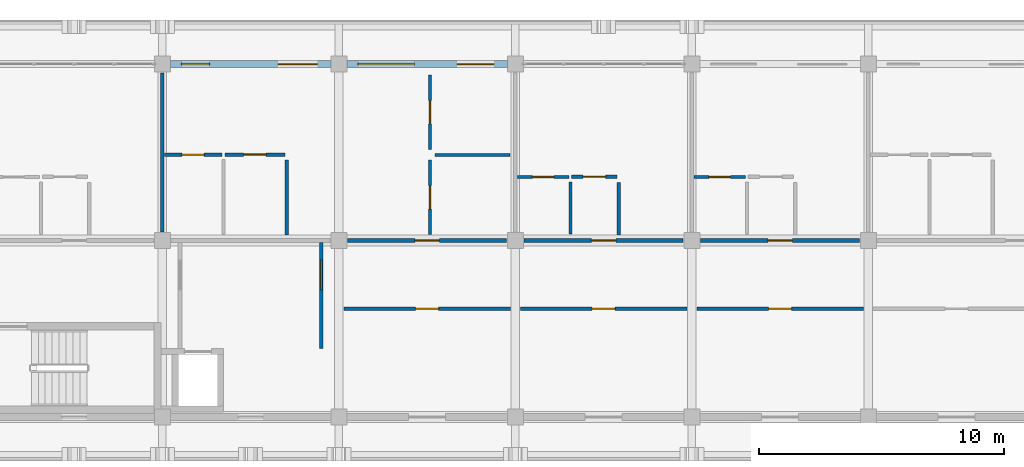
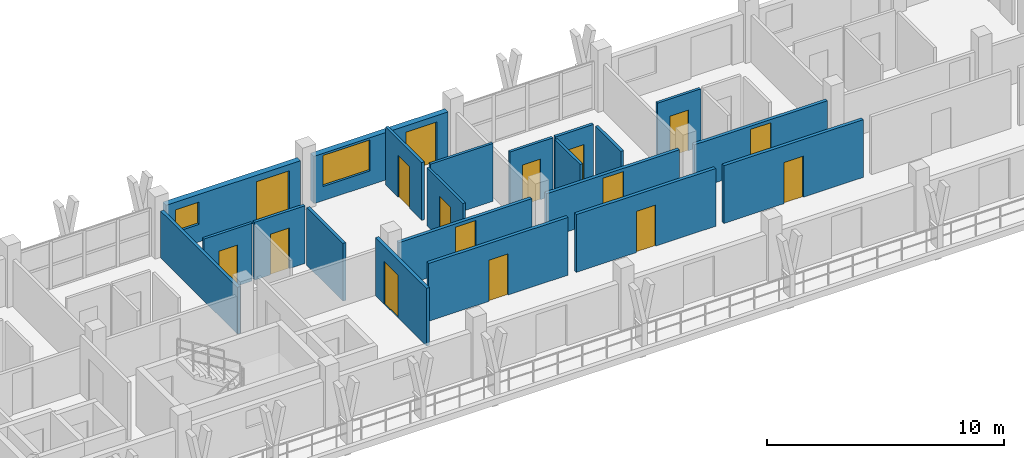
# One storey, part 48 of 76: 21 walls, 16 doors, 2 windows, 18 openings.
"""IFC4 building model written with IfcOpenShell, lengths in metres."""

from ifc_helpers import new_model, si_unit, direction, frame, frame_2d, origin, place, context, subcontext, project, spatial, rectangle, extrude, material, layer, layer_set, type_object, element, fill, save


model = new_model("IFC4")

# Units and contexts
model_context = context("Model", 3, precision=1e-05, world=origin(), true_north=direction((0.0, 1.0)))
body_context = subcontext(model_context, "Body", "Model", "MODEL_VIEW")
ifc_project = project(units=[si_unit("LENGTHUNIT", "METRE"), si_unit("AREAUNIT", "SQUARE_METRE"), si_unit("VOLUMEUNIT", "CUBIC_METRE"), si_unit("PLANEANGLEUNIT", "RADIAN"), si_unit("MASSUNIT", "GRAM", prefix="KILO")], contexts=[model_context])

# Site, building, storey
site_placement = place(None, origin())
site = spatial("IfcSite", under=ifc_project, at=site_placement, CompositionType="ELEMENT")
building_placement = place(site_placement, origin())
building = spatial("IfcBuilding", under=site, at=building_placement, Name="Suanplinth Sawtooth Commons", CompositionType="ELEMENT")
storey_placement = place(building_placement, frame((0.0, 0.0, 12.199951171875)))
storey = spatial("IfcBuildingStorey", under=building, at=storey_placement, Name="L03", CompositionType="ELEMENT", Elevation=12.199951171875)

# Wall, openings, door, window
ifc_material_1 = material(Name="Precast concrete C40/50", Category="concrete")
ifc_layer_1 = layer(ifc_material_1, 0.280029296875, Name="Insulated precast architectural facade wall 280mm")
ifc_layer_set_1 = layer_set([ifc_layer_1], Name="Precast concrete C40/50")
wall_type_1 = type_object("IfcWallType", Name="W-EX01", PredefinedType="ELEMENTEDWALL", material=ifc_layer_set_1)
wall_1_placement = place(storey_placement, frame((65.125, 122.39990234375, 0.0), z_axis=(0.0, 0.0, 1.0), x_axis=(1.0, 0.0, 0.0)))
wall_1 = element("IfcWall", 1, at=wall_1_placement, inside=storey, type_object=wall_type_1, Name="Facade Wall W-L03-A-N-9", PredefinedType="ELEMENTEDWALL", context=body_context, shape_type="SweptSolid", body=[
    extrude(rectangle(XDim=6.550048828125, YDim=0.280029296875, at=frame_2d((3.27490234375, 0.0))), origin(), (0.0, 0.0, 1.0), 2.445068359375),
])
opening_1_placement = place(wall_1_placement, frame((4.39990234375, 0.0, 0.0)))
opening_1 = element("IfcOpeningElement", 2, at=opening_1_placement, cuts=wall_1, Name="Opening ED0231", PredefinedType="OPENING", context=body_context, shape_type="SweptSolid", body=[
    extrude(rectangle(XDim=1.60009765625, YDim=2.1201171875, at=frame_2d((0.800048828125, 1.06005859375))), frame((0.0, 0.15478515625, 0.0), z_axis=(0.0, -1.0, 0.0), x_axis=(1.0, 0.0, 0.0)), (0.0, 0.0, 1.0), 0.309814453125),
])
opening_2_placement = place(wall_1_placement, frame((0.449951171875, 0.0, 0.89990234375)))
opening_2 = element("IfcOpeningElement", 3, at=opening_2_placement, cuts=wall_1, Name="Opening W0341", PredefinedType="OPENING", context=body_context, shape_type="SweptSolid", body=[
    extrude(rectangle(XDim=1.14990234375, YDim=1.14990234375, at=frame_2d((0.574951171875, 0.574951171875))), frame((0.0, 0.15478515625, 0.0), z_axis=(0.0, -1.0, 0.0), x_axis=(1.0, 0.0, 0.0)), (0.0, 0.0, 1.0), 0.309814453125),
])
ifc_material_2 = material(Name="Anodized aluminium and low-E glass", Category="aluminium")
door_type_1 = type_object("IfcDoorType", Name="SD-02", OperationType="SLIDING_TO_RIGHT", PredefinedType="DOOR", material=ifc_material_2)
door_1_placement = place(opening_1_placement, frame((1.60009765625, 0.0, 0.0), z_axis=(0.0, 0.0, 1.0), x_axis=(-1.0, 0.0, 0.0)))
door_1 = element("IfcDoor", 4, at=door_1_placement, inside=storey, type_object=door_type_1, Name="Balcony Sliding Door L03-A-N-9", OperationType="SLIDING_TO_RIGHT", OverallHeight=2.1201171875, OverallWidth=1.60009765625, PredefinedType="DOOR", context=body_context, shape_type="SweptSolid", body=[
    extrude(rectangle(XDim=1.60009765625, YDim=2.1201171875, at=frame_2d((0.800048828125, 1.06005859375))), frame((0.0, 0.02490234375, 0.0), z_axis=(0.0, -1.0, 0.0), x_axis=(1.0, 0.0, 0.0)), (0.0, 0.0, 1.0), 0.050048828125),
])
fill(opening_1, door_1)
ifc_material_3 = material(Name="Thermally broken aluminium and low-E double glazing", Category="aluminium")
window_type_1 = type_object("IfcWindowType", Name="WN-20", PartitioningType="SINGLE_PANEL", PredefinedType="WINDOW", material=ifc_material_3)
window_1_placement = place(opening_2_placement, origin())
window_1 = element("IfcWindow", 5, at=window_1_placement, inside=storey, type_object=window_type_1, Name="Window L03-A-N-9", OverallHeight=1.14990234375, OverallWidth=1.14990234375, PartitioningType="SINGLE_PANEL", PredefinedType="WINDOW", context=body_context, shape_type="SweptSolid", body=[
    extrude(rectangle(XDim=1.14990234375, YDim=1.14990234375, at=frame_2d((0.574951171875, 0.574951171875))), frame((0.0, 0.030029296875, 0.0), z_axis=(0.0, -1.0, 0.0), x_axis=(1.0, 0.0, 0.0)), (0.0, 0.0, 1.0), 0.06005859375),
])
fill(opening_2, window_1)

wall_2_placement = place(storey_placement, frame((72.324951171875, 122.39990234375, 0.0), z_axis=(0.0, 0.0, 1.0), x_axis=(1.0, 0.0, 0.0)))
wall_2 = element("IfcWall", 6, at=wall_2_placement, inside=storey, type_object=wall_type_1, Name="Facade Wall W-L03-A-N-10", PredefinedType="ELEMENTEDWALL", context=body_context, shape_type="SweptSolid", body=[
    extrude(rectangle(XDim=6.550048828125, YDim=0.280029296875, at=frame_2d((3.27490234375, 0.0))), origin(), (0.0, 0.0, 1.0), 2.445068359375),
])
opening_3_placement = place(wall_2_placement, frame((4.5, 0.0, 0.0)))
opening_3 = element("IfcOpeningElement", 7, at=opening_3_placement, cuts=wall_2, Name="Opening ED0232", PredefinedType="OPENING", context=body_context, shape_type="SweptSolid", body=[
    extrude(rectangle(XDim=1.5, YDim=2.1201171875, at=frame_2d((0.75, 1.06005859375))), frame((0.0, 0.15478515625, 0.0), z_axis=(0.0, -1.0, 0.0), x_axis=(1.0, 0.0, 0.0)), (0.0, 0.0, 1.0), 0.309814453125),
])
opening_4_placement = place(wall_2_placement, frame((0.449951171875, 0.0, 0.735107421875)))
opening_4 = element("IfcOpeningElement", 8, at=opening_4_placement, cuts=wall_2, Name="Opening W0343", PredefinedType="OPENING", context=body_context, shape_type="SweptSolid", body=[
    extrude(rectangle(XDim=2.300048828125, YDim=1.60009765625, at=frame_2d((1.14990234375, 0.800048828125))), frame((0.0, 0.15478515625, 0.0), z_axis=(0.0, -1.0, 0.0), x_axis=(1.0, 0.0, 0.0)), (0.0, 0.0, 1.0), 0.309814453125),
])
door_type_2 = type_object("IfcDoorType", Name="SD-03", OperationType="SLIDING_TO_LEFT", PredefinedType="DOOR", material=ifc_material_2)
door_2_placement = place(opening_3_placement, frame((1.5, 0.0, 0.0), z_axis=(0.0, 0.0, 1.0), x_axis=(-1.0, 0.0, 0.0)))
door_2 = element("IfcDoor", 9, at=door_2_placement, inside=storey, type_object=door_type_2, Name="Balcony Sliding Door L03-A-N-10", OperationType="SLIDING_TO_LEFT", OverallHeight=2.1201171875, OverallWidth=1.5, PredefinedType="DOOR", context=body_context, shape_type="SweptSolid", body=[
    extrude(rectangle(XDim=1.5, YDim=2.1201171875, at=frame_2d((0.75, 1.06005859375))), frame((0.0, 0.02490234375, 0.0), z_axis=(0.0, -1.0, 0.0), x_axis=(1.0, 0.0, 0.0)), (0.0, 0.0, 1.0), 0.050048828125),
])
fill(opening_3, door_2)
window_type_2 = type_object("IfcWindowType", Name="WN-21", PartitioningType="TRIPLE_PANEL_VERTICAL", PredefinedType="WINDOW", material=ifc_material_3)
window_2_placement = place(opening_4_placement, origin())
window_2 = element("IfcWindow", 10, at=window_2_placement, inside=storey, type_object=window_type_2, Name="Window L03-A-N-10", OverallHeight=1.60009765625, OverallWidth=2.300048828125, PartitioningType="TRIPLE_PANEL_VERTICAL", PredefinedType="WINDOW", context=body_context, shape_type="SweptSolid", body=[
    extrude(rectangle(XDim=2.300048828125, YDim=1.60009765625, at=frame_2d((1.14990234375, 0.800048828125))), frame((0.0, 0.030029296875, 0.0), z_axis=(0.0, -1.0, 0.0), x_axis=(1.0, 0.0, 0.0)), (0.0, 0.0, 1.0), 0.06005859375),
])
fill(opening_4, window_2)

# Wall, opening, door
ifc_layer_2 = layer(ifc_material_1, 0.159912109375, Name="Fire-rated corridor and lobby wall 160mm")
ifc_layer_set_2 = layer_set([ifc_layer_2], Name="Precast concrete C40/50")
wall_type_2 = type_object("IfcWallType", Name="W-FW01", PredefinedType="PARTITIONING", material=ifc_layer_set_2)
wall_3_placement = place(storey_placement, frame((71.280029296875, 110.800048828125, 0.0), z_axis=(0.0, 0.0, 1.0), x_axis=(0.0, 1.0, 0.0)))
wall_3 = element("IfcWall", 11, at=wall_3_placement, inside=storey, type_object=wall_type_2, Name="W-L03-C-A2-LOB-E", PredefinedType="PARTITIONING", context=body_context, shape_type="SweptSolid", body=[
    extrude(rectangle(XDim=4.320068359375, YDim=0.159912109375, at=frame_2d((2.16015625, 0.0))), origin(), (0.0, 0.0, 1.0), 2.97998046875),
])
opening_5_placement = place(wall_3_placement, frame((2.39990234375, 0.0, 0.0)))
opening_5 = element("IfcOpeningElement", 12, at=opening_5_placement, cuts=wall_3, Name="Opening FD0104", PredefinedType="OPENING", context=body_context, shape_type="SweptSolid", body=[
    extrude(rectangle(XDim=1.199951171875, YDim=2.199951171875, at=frame_2d((0.60009765625, 1.10009765625))), frame((0.0, 0.0947265625, 0.0), z_axis=(0.0, -1.0, 0.0), x_axis=(1.0, 0.0, 0.0)), (0.0, 0.0, 1.0), 0.189697265625),
])
ifc_material_4 = material(Name="Teak hardwood fire-rated door assembly", Category="wood")
door_type_3 = type_object("IfcDoorType", Name="FD-02", OperationType="NOTDEFINED", PredefinedType="DOOR", material=ifc_material_4)
door_3_placement = place(opening_5_placement, frame((1.199951171875, 0.0, 0.0), z_axis=(0.0, 0.0, 1.0), x_axis=(-1.0, 0.0, 0.0)))
door_3 = element("IfcDoor", 13, at=door_3_placement, inside=storey, type_object=door_type_3, Name="Lobby Fire Door FD0104", OperationType="SINGLE_SWING_LEFT", OverallHeight=2.199951171875, OverallWidth=1.199951171875, PredefinedType="DOOR", context=body_context, shape_type="SweptSolid", body=[
    extrude(rectangle(XDim=1.199951171875, YDim=2.199951171875, at=frame_2d((0.60009765625, 1.10009765625))), frame((0.0, 0.02490234375, 0.0), z_axis=(0.0, -1.0, 0.0), x_axis=(1.0, 0.0, 0.0)), (0.0, 0.0, 1.0), 0.050048828125),
])
fill(opening_5, door_3)

wall_4_placement = place(storey_placement, frame((72.35498046875, 115.199951171875, 0.0), z_axis=(0.0, 0.0, 1.0), x_axis=(1.0, 0.0, 0.0)))
wall_4 = element("IfcWall", 14, at=wall_4_placement, inside=storey, type_object=wall_type_2, Name="W-A-L03-U08-COR-S2", PredefinedType="PARTITIONING", context=body_context, shape_type="SweptSolid", body=[
    extrude(rectangle(XDim=6.489990234375, YDim=0.159912109375, at=frame_2d((3.2451171875, 0.0))), origin(), (0.0, 0.0, 1.0), 2.31494140625),
])
opening_6_placement = place(wall_4_placement, frame((2.7451171875, 0.0, 0.0)))
opening_6 = element("IfcOpeningElement", 15, at=opening_6_placement, cuts=wall_4, Name="Opening FD0891", PredefinedType="OPENING", context=body_context, shape_type="SweptSolid", body=[
    extrude(rectangle(XDim=1.0, YDim=2.14990234375, at=frame_2d((0.5, 1.074951171875))), frame((0.0, 0.0947265625, 0.0), z_axis=(0.0, -1.0, 0.0), x_axis=(1.0, 0.0, 0.0)), (0.0, 0.0, 1.0), 0.189697265625),
])
door_type_4 = type_object("IfcDoorType", Name="FD-03", OperationType="NOTDEFINED", PredefinedType="DOOR", material=ifc_material_4)
door_4_placement = place(opening_6_placement, origin())
door_4 = element("IfcDoor", 16, at=door_4_placement, inside=storey, type_object=door_type_4, Name="Unit Entrance Door FD0891", OperationType="SINGLE_SWING_LEFT", OverallHeight=2.14990234375, OverallWidth=1.0, PredefinedType="DOOR", context=body_context, shape_type="SweptSolid", body=[
    extrude(rectangle(XDim=1.0, YDim=2.14990234375, at=frame_2d((0.5, 1.074951171875))), frame((0.0, 0.02490234375, 0.0), z_axis=(0.0, -1.0, 0.0), x_axis=(1.0, 0.0, 0.0)), (0.0, 0.0, 1.0), 0.050048828125),
])
fill(opening_6, door_4)

wall_5_placement = place(storey_placement, frame((79.554931640625, 115.199951171875, 0.0), z_axis=(0.0, 0.0, 1.0), x_axis=(1.0, 0.0, 0.0)))
wall_5 = element("IfcWall", 17, at=wall_5_placement, inside=storey, type_object=wall_type_2, Name="W-A-L03-U09-COR", PredefinedType="PARTITIONING", context=body_context, shape_type="SweptSolid", body=[
    extrude(rectangle(XDim=6.489990234375, YDim=0.159912109375, at=frame_2d((3.2451171875, 0.0))), origin(), (0.0, 0.0, 1.0), 2.31494140625),
])
opening_7_placement = place(wall_5_placement, frame((2.7451171875, 0.0, 0.0)))
opening_7 = element("IfcOpeningElement", 18, at=opening_7_placement, cuts=wall_5, Name="Opening FD0896", PredefinedType="OPENING", context=body_context, shape_type="SweptSolid", body=[
    extrude(rectangle(XDim=1.0, YDim=2.14990234375, at=frame_2d((0.5, 1.074951171875))), frame((0.0, 0.0947265625, 0.0), z_axis=(0.0, -1.0, 0.0), x_axis=(1.0, 0.0, 0.0)), (0.0, 0.0, 1.0), 0.189697265625),
])
door_5_placement = place(opening_7_placement, origin())
door_5 = element("IfcDoor", 19, at=door_5_placement, inside=storey, type_object=door_type_4, Name="Unit Entrance Door FD0896", OperationType="SINGLE_SWING_RIGHT", OverallHeight=2.14990234375, OverallWidth=1.0, PredefinedType="DOOR", context=body_context, shape_type="SweptSolid", body=[
    extrude(rectangle(XDim=1.0, YDim=2.14990234375, at=frame_2d((0.5, 1.074951171875))), frame((0.0, 0.02490234375, 0.0), z_axis=(0.0, -1.0, 0.0), x_axis=(1.0, 0.0, 0.0)), (0.0, 0.0, 1.0), 0.050048828125),
])
fill(opening_7, door_5)

wall_6_placement = place(storey_placement, frame((86.7548828125, 115.199951171875, 0.0), z_axis=(0.0, 0.0, 1.0), x_axis=(1.0, 0.0, 0.0)))
wall_6 = element("IfcWall", 20, at=wall_6_placement, inside=storey, type_object=wall_type_2, Name="W-A-L03-U10-COR", PredefinedType="PARTITIONING", context=body_context, shape_type="SweptSolid", body=[
    extrude(rectangle(XDim=6.490234375, YDim=0.159912109375, at=frame_2d((3.2451171875, 0.0))), origin(), (0.0, 0.0, 1.0), 2.31494140625),
])
opening_8_placement = place(wall_6_placement, frame((2.7451171875, 0.0, 0.0)))
opening_8 = element("IfcOpeningElement", 21, at=opening_8_placement, cuts=wall_6, Name="Opening FD0899", PredefinedType="OPENING", context=body_context, shape_type="SweptSolid", body=[
    extrude(rectangle(XDim=1.0, YDim=2.14990234375, at=frame_2d((0.5, 1.074951171875))), frame((0.0, 0.0947265625, 0.0), z_axis=(0.0, -1.0, 0.0), x_axis=(1.0, 0.0, 0.0)), (0.0, 0.0, 1.0), 0.189697265625),
])
door_6_placement = place(opening_8_placement, origin())
door_6 = element("IfcDoor", 22, at=door_6_placement, inside=storey, type_object=door_type_4, Name="Unit Entrance Door FD0899", OperationType="SINGLE_SWING_LEFT", OverallHeight=2.14990234375, OverallWidth=1.0, PredefinedType="DOOR", context=body_context, shape_type="SweptSolid", body=[
    extrude(rectangle(XDim=1.0, YDim=2.14990234375, at=frame_2d((0.5, 1.074951171875))), frame((0.0, 0.02490234375, 0.0), z_axis=(0.0, -1.0, 0.0), x_axis=(1.0, 0.0, 0.0)), (0.0, 0.0, 1.0), 0.050048828125),
])
fill(opening_8, door_6)

wall_7_placement = place(storey_placement, frame((72.199951171875, 112.419921875, 0.0), z_axis=(0.0, 0.0, 1.0), x_axis=(1.0, 0.0, 0.0)))
wall_7 = element("IfcWall", 23, at=wall_7_placement, inside=storey, type_object=wall_type_2, Name="W-A-L03-COURTROOM-18-COR", PredefinedType="PARTITIONING", context=body_context, shape_type="SweptSolid", body=[
    extrude(rectangle(XDim=6.800048828125, YDim=0.159912109375, at=frame_2d((3.39990234375, 0.0))), origin(), (0.0, 0.0, 1.0), 2.97998046875),
])
opening_9_placement = place(wall_7_placement, frame((2.929931640625, 0.0, 0.0)))
opening_9 = element("IfcOpeningElement", 24, at=opening_9_placement, cuts=wall_7, Name="Opening D0916", PredefinedType="OPENING", context=body_context, shape_type="SweptSolid", body=[
    extrude(rectangle(XDim=0.93994140625, YDim=2.1201171875, at=frame_2d((0.469970703125, 1.06005859375))), frame((0.0, 0.0947265625, 0.0), z_axis=(0.0, -1.0, 0.0), x_axis=(1.0, 0.0, 0.0)), (0.0, 0.0, 1.0), 0.189697265625),
])
ifc_material_5 = material(Name="Teak hardwood", Category="wood")
door_type_5 = type_object("IfcDoorType", Name="D-15", OperationType="NOTDEFINED", PredefinedType="DOOR", material=ifc_material_5)
door_7_placement = place(opening_9_placement, frame((0.93994140625, 0.0, 0.0), z_axis=(0.0, 0.0, 1.0), x_axis=(-1.0, 0.0, 0.0)))
door_7 = element("IfcDoor", 25, at=door_7_placement, inside=storey, type_object=door_type_5, Name="Study Studio Door D0916", OperationType="SINGLE_SWING_RIGHT", OverallHeight=2.1201171875, OverallWidth=0.93994140625, PredefinedType="DOOR", context=body_context, shape_type="SweptSolid", body=[
    extrude(rectangle(XDim=0.93994140625, YDim=2.1201171875, at=frame_2d((0.469970703125, 1.06005859375))), frame((0.0, 0.02490234375, 0.0), z_axis=(0.0, -1.0, 0.0), x_axis=(1.0, 0.0, 0.0)), (0.0, 0.0, 1.0), 0.050048828125),
])
fill(opening_9, door_7)

wall_8_placement = place(storey_placement, frame((79.39990234375, 112.419921875, 0.0), z_axis=(0.0, 0.0, 1.0), x_axis=(1.0, 0.0, 0.0)))
wall_8 = element("IfcWall", 26, at=wall_8_placement, inside=storey, type_object=wall_type_2, Name="W-A-L03-COURTROOM-19-COR", PredefinedType="PARTITIONING", context=body_context, shape_type="SweptSolid", body=[
    extrude(rectangle(XDim=6.800048828125, YDim=0.159912109375, at=frame_2d((3.39990234375, 0.0))), origin(), (0.0, 0.0, 1.0), 2.97998046875),
])
opening_10_placement = place(wall_8_placement, frame((2.929931640625, 0.0, 0.0)))
opening_10 = element("IfcOpeningElement", 27, at=opening_10_placement, cuts=wall_8, Name="Opening D0917", PredefinedType="OPENING", context=body_context, shape_type="SweptSolid", body=[
    extrude(rectangle(XDim=0.93994140625, YDim=2.1201171875, at=frame_2d((0.469970703125, 1.06005859375))), frame((0.0, 0.0947265625, 0.0), z_axis=(0.0, -1.0, 0.0), x_axis=(1.0, 0.0, 0.0)), (0.0, 0.0, 1.0), 0.189697265625),
])
door_8_placement = place(opening_10_placement, frame((0.93994140625, 0.0, 0.0), z_axis=(0.0, 0.0, 1.0), x_axis=(-1.0, 0.0, 0.0)))
door_8 = element("IfcDoor", 28, at=door_8_placement, inside=storey, type_object=door_type_5, Name="Study Studio Door D0917", OperationType="SINGLE_SWING_LEFT", OverallHeight=2.1201171875, OverallWidth=0.93994140625, PredefinedType="DOOR", context=body_context, shape_type="SweptSolid", body=[
    extrude(rectangle(XDim=0.93994140625, YDim=2.1201171875, at=frame_2d((0.469970703125, 1.06005859375))), frame((0.0, 0.02490234375, 0.0), z_axis=(0.0, -1.0, 0.0), x_axis=(1.0, 0.0, 0.0)), (0.0, 0.0, 1.0), 0.050048828125),
])
fill(opening_10, door_8)

wall_9_placement = place(storey_placement, frame((86.60009765625, 112.419921875, 0.0), z_axis=(0.0, 0.0, 1.0), x_axis=(1.0, 0.0, 0.0)))
wall_9 = element("IfcWall", 29, at=wall_9_placement, inside=storey, type_object=wall_type_2, Name="W-A-L03-COURTROOM-20-COR", PredefinedType="PARTITIONING", context=body_context, shape_type="SweptSolid", body=[
    extrude(rectangle(XDim=6.7998046875, YDim=0.159912109375, at=frame_2d((3.39990234375, 0.0))), origin(), (0.0, 0.0, 1.0), 2.97998046875),
])
opening_11_placement = place(wall_9_placement, frame((2.929931640625, 0.0, 0.0)))
opening_11 = element("IfcOpeningElement", 30, at=opening_11_placement, cuts=wall_9, Name="Opening D0918", PredefinedType="OPENING", context=body_context, shape_type="SweptSolid", body=[
    extrude(rectangle(XDim=0.93994140625, YDim=2.1201171875, at=frame_2d((0.469970703125, 1.06005859375))), frame((0.0, 0.0947265625, 0.0), z_axis=(0.0, -1.0, 0.0), x_axis=(1.0, 0.0, 0.0)), (0.0, 0.0, 1.0), 0.189697265625),
])
door_9_placement = place(opening_11_placement, frame((0.93994140625, 0.0, 0.0), z_axis=(0.0, 0.0, 1.0), x_axis=(-1.0, 0.0, 0.0)))
door_9 = element("IfcDoor", 31, at=door_9_placement, inside=storey, type_object=door_type_5, Name="Study Studio Door D0918", OperationType="SINGLE_SWING_RIGHT", OverallHeight=2.1201171875, OverallWidth=0.93994140625, PredefinedType="DOOR", context=body_context, shape_type="SweptSolid", body=[
    extrude(rectangle(XDim=0.93994140625, YDim=2.1201171875, at=frame_2d((0.469970703125, 1.06005859375))), frame((0.0, 0.02490234375, 0.0), z_axis=(0.0, -1.0, 0.0), x_axis=(1.0, 0.0, 0.0)), (0.0, 0.0, 1.0), 0.050048828125),
])
fill(opening_11, door_9)

# Wall
ifc_layer_3 = layer(ifc_material_1, 0.14990234375, Name="Acoustic precast party demising wall 150mm")
ifc_layer_set_3 = layer_set([ifc_layer_3], Name="Precast concrete C40/50")
wall_type_3 = type_object("IfcWallType", Name="W-FW02", PredefinedType="PARTITIONING", material=ifc_layer_set_3)
wall_10_placement = place(storey_placement, frame((64.800048828125, 115.554931640625, 0.0), z_axis=(0.0, 0.0, 1.0), x_axis=(0.0, 1.0, 0.0)))
element("IfcWall", 32, at=wall_10_placement, inside=storey, type_object=wall_type_3, Name="W-A-L03-U07-PTY", PredefinedType="PARTITIONING", context=body_context, shape_type="SweptSolid", body=[
    extrude(rectangle(XDim=6.489990234375, YDim=0.14990234375, at=frame_2d((3.2451171875, 0.0))), origin(), (0.0, 0.0, 1.0), 2.4150390625),
])

# Wall, opening, door
ifc_material_6 = material(Name="Gypsum plasterboard on steel stud", Category="steel")
ifc_layer_4 = layer(ifc_material_6, 0.139892578125, Name="Fire-rated kitchen partition 140mm")
ifc_layer_set_4 = layer_set([ifc_layer_4], Name="Gypsum plasterboard on steel stud")
wall_type_4 = type_object("IfcWallType", Name="W-PT01", PredefinedType="PARTITIONING", material=ifc_layer_set_4)
wall_11_placement = place(storey_placement, frame((67.35009765625, 118.7099609375, 0.0), z_axis=(0.0, 0.0, 1.0), x_axis=(1.0, 0.0, 0.0)))
wall_11 = element("IfcWall", 33, at=wall_11_placement, inside=storey, type_object=wall_type_4, Name="W-A-L03-U08-KIT1", PredefinedType="PARTITIONING", context=body_context, shape_type="SweptSolid", body=[
    extrude(rectangle(XDim=2.449951171875, YDim=0.139892578125, at=frame_2d((1.22509765625, 0.0))), origin(), (0.0, 0.0, 1.0), 2.97998046875),
])
opening_12_placement = place(wall_11_placement, frame((0.764892578125, 0.0, 0.0)))
opening_12 = element("IfcOpeningElement", 34, at=opening_12_placement, cuts=wall_11, Name="Opening D0893", PredefinedType="OPENING", context=body_context, shape_type="SweptSolid", body=[
    extrude(rectangle(XDim=0.919921875, YDim=2.10009765625, at=frame_2d((0.4599609375, 1.050048828125))), frame((0.0, 0.0849609375, 0.0), z_axis=(0.0, -1.0, 0.0), x_axis=(1.0, 0.0, 0.0)), (0.0, 0.0, 1.0), 0.169677734375),
])
door_type_6 = type_object("IfcDoorType", Name="D-02", OperationType="NOTDEFINED", PredefinedType="DOOR", material=ifc_material_5)
door_10_placement = place(opening_12_placement, frame((0.919921875, 0.0, 0.0), z_axis=(0.0, 0.0, 1.0), x_axis=(-1.0, 0.0, 0.0)))
door_10 = element("IfcDoor", 35, at=door_10_placement, inside=storey, type_object=door_type_6, Name="Kitchen Door D0893", OperationType="SINGLE_SWING_LEFT", OverallHeight=2.10009765625, OverallWidth=0.919921875, PredefinedType="DOOR", context=body_context, shape_type="SweptSolid", body=[
    extrude(rectangle(XDim=0.919921875, YDim=2.10009765625, at=frame_2d((0.4599609375, 1.050048828125))), frame((0.0, 0.02490234375, 0.0), z_axis=(0.0, -1.0, 0.0), x_axis=(1.0, 0.0, 0.0)), (0.0, 0.0, 1.0), 0.050048828125),
])
fill(opening_12, door_10)

# Wall
wall_12_placement = place(storey_placement, frame((69.8701171875, 115.429931640625, 0.0), z_axis=(0.0, 0.0, 1.0), x_axis=(0.0, 1.0, 0.0)))
element("IfcWall", 36, at=wall_12_placement, inside=storey, type_object=wall_type_4, Name="W-A-L03-U08-KIT2", PredefinedType="PARTITIONING", context=body_context, shape_type="SweptSolid", body=[
    extrude(rectangle(XDim=3.06005859375, YDim=0.139892578125, at=frame_2d((1.530029296875, 0.0))), origin(), (0.0, 0.0, 1.0), 2.97998046875),
])

# Wall, opening, door
wall_13_placement = place(storey_placement, frame((81.5, 117.800048828125, 0.0), z_axis=(0.0, 0.0, 1.0), x_axis=(1.0, 0.0, 0.0)))
wall_13 = element("IfcWall", 37, at=wall_13_placement, inside=storey, type_object=wall_type_4, Name="W-A-L03-U09-KIT1", PredefinedType="PARTITIONING", context=body_context, shape_type="SweptSolid", body=[
    extrude(rectangle(XDim=1.85009765625, YDim=0.139892578125, at=frame_2d((0.925048828125, 0.0))), origin(), (0.0, 0.0, 1.0), 2.97998046875),
])
opening_13_placement = place(wall_13_placement, frame((0.465087890625, 0.0, 0.0)))
opening_13 = element("IfcOpeningElement", 38, at=opening_13_placement, cuts=wall_13, Name="Opening D0898", PredefinedType="OPENING", context=body_context, shape_type="SweptSolid", body=[
    extrude(rectangle(XDim=0.919921875, YDim=2.10009765625, at=frame_2d((0.4599609375, 1.050048828125))), frame((0.0, 0.0849609375, 0.0), z_axis=(0.0, -1.0, 0.0), x_axis=(1.0, 0.0, 0.0)), (0.0, 0.0, 1.0), 0.169677734375),
])
door_11_placement = place(opening_13_placement, frame((0.919921875, 0.0, 0.0), z_axis=(0.0, 0.0, 1.0), x_axis=(-1.0, 0.0, 0.0)))
door_11 = element("IfcDoor", 39, at=door_11_placement, inside=storey, type_object=door_type_6, Name="Kitchen Door D0898", OperationType="SINGLE_SWING_RIGHT", OverallHeight=2.10009765625, OverallWidth=0.919921875, PredefinedType="DOOR", context=body_context, shape_type="SweptSolid", body=[
    extrude(rectangle(XDim=0.919921875, YDim=2.10009765625, at=frame_2d((0.4599609375, 1.050048828125))), frame((0.0, 0.02490234375, 0.0), z_axis=(0.0, -1.0, 0.0), x_axis=(1.0, 0.0, 0.0)), (0.0, 0.0, 1.0), 0.050048828125),
])
fill(opening_13, door_11)

# Wall
wall_14_placement = place(storey_placement, frame((83.419921875, 115.429931640625, 0.0), z_axis=(0.0, 0.0, 1.0), x_axis=(0.0, 1.0, 0.0)))
element("IfcWall", 40, at=wall_14_placement, inside=storey, type_object=wall_type_4, Name="W-A-L03-U09-KIT2", PredefinedType="PARTITIONING", context=body_context, shape_type="SweptSolid", body=[
    extrude(rectangle(XDim=2.150146484375, YDim=0.139892578125, at=frame_2d((1.0751953125, 0.0))), origin(), (0.0, 0.0, 1.0), 2.97998046875),
])

# Wall, opening, door
ifc_layer_5 = layer(ifc_material_6, 0.1298828125, Name="Moisture-resistant bathroom partition 130mm")
ifc_layer_set_5 = layer_set([ifc_layer_5], Name="Gypsum plasterboard on steel stud")
wall_type_5 = type_object("IfcWallType", Name="W-PT02", PredefinedType="PARTITIONING", material=ifc_layer_set_5)
wall_15_placement = place(storey_placement, frame((64.8798828125, 118.705078125, 0.0), z_axis=(0.0, 0.0, 1.0), x_axis=(1.0, 0.0, 0.0)))
wall_15 = element("IfcWall", 41, at=wall_15_placement, inside=storey, type_object=wall_type_5, Name="W-A-L03-U08-BTH1", PredefinedType="PARTITIONING", context=body_context, shape_type="SweptSolid", body=[
    extrude(rectangle(XDim=2.35009765625, YDim=0.1298828125, at=frame_2d((1.175048828125, 0.0))), origin(), (0.0, 0.0, 1.0), 2.97998046875),
])
opening_14_placement = place(wall_15_placement, frame((0.72509765625, 0.0, 0.0)))
opening_14 = element("IfcOpeningElement", 42, at=opening_14_placement, cuts=wall_15, Name="Opening D0892", PredefinedType="OPENING", context=body_context, shape_type="SweptSolid", body=[
    extrude(rectangle(XDim=0.89990234375, YDim=2.10009765625, at=frame_2d((0.449951171875, 1.050048828125))), frame((0.0, 0.079833984375, 0.0), z_axis=(0.0, -1.0, 0.0), x_axis=(1.0, 0.0, 0.0)), (0.0, 0.0, 1.0), 0.15966796875),
])
door_type_7 = type_object("IfcDoorType", Name="D-01", OperationType="NOTDEFINED", PredefinedType="DOOR", material=ifc_material_5)
door_12_placement = place(opening_14_placement, frame((0.89990234375, 0.0, 0.0), z_axis=(0.0, 0.0, 1.0), x_axis=(-1.0, 0.0, 0.0)))
door_12 = element("IfcDoor", 43, at=door_12_placement, inside=storey, type_object=door_type_7, Name="Bathroom Door D0892", OperationType="SINGLE_SWING_RIGHT", OverallHeight=2.10009765625, OverallWidth=0.89990234375, PredefinedType="DOOR", context=body_context, shape_type="SweptSolid", body=[
    extrude(rectangle(XDim=0.89990234375, YDim=2.10009765625, at=frame_2d((0.449951171875, 1.050048828125))), frame((0.0, 0.02490234375, 0.0), z_axis=(0.0, -1.0, 0.0), x_axis=(1.0, 0.0, 0.0)), (0.0, 0.0, 1.0), 0.050048828125),
])
fill(opening_14, door_12)

wall_16_placement = place(storey_placement, frame((79.280029296875, 117.794921875, 0.0), z_axis=(0.0, 0.0, 1.0), x_axis=(1.0, 0.0, 0.0)))
wall_16 = element("IfcWall", 44, at=wall_16_placement, inside=storey, type_object=wall_type_5, Name="W-A-L03-U09-BTH1", PredefinedType="PARTITIONING", context=body_context, shape_type="SweptSolid", body=[
    extrude(rectangle(XDim=2.099853515625, YDim=0.1298828125, at=frame_2d((1.0498046875, 0.0))), origin(), (0.0, 0.0, 1.0), 2.97998046875),
])
opening_15_placement = place(wall_16_placement, frame((0.610107421875, 0.0, 0.0)))
opening_15 = element("IfcOpeningElement", 45, at=opening_15_placement, cuts=wall_16, Name="Opening D0897", PredefinedType="OPENING", context=body_context, shape_type="SweptSolid", body=[
    extrude(rectangle(XDim=0.8798828125, YDim=2.10009765625, at=frame_2d((0.43994140625, 1.050048828125))), frame((0.0, 0.079833984375, 0.0), z_axis=(0.0, -1.0, 0.0), x_axis=(1.0, 0.0, 0.0)), (0.0, 0.0, 1.0), 0.15966796875),
])
door_type_8 = type_object("IfcDoorType", Name="D-14", OperationType="NOTDEFINED", PredefinedType="DOOR", material=ifc_material_5)
door_13_placement = place(opening_15_placement, frame((0.8798828125, 0.0, 0.0), z_axis=(0.0, 0.0, 1.0), x_axis=(-1.0, 0.0, 0.0)))
door_13 = element("IfcDoor", 46, at=door_13_placement, inside=storey, type_object=door_type_8, Name="Bathroom Door D0897", OperationType="SINGLE_SWING_LEFT", OverallHeight=2.10009765625, OverallWidth=0.8798828125, PredefinedType="DOOR", context=body_context, shape_type="SweptSolid", body=[
    extrude(rectangle(XDim=0.8798828125, YDim=2.10009765625, at=frame_2d((0.43994140625, 1.050048828125))), frame((0.0, 0.02490234375, 0.0), z_axis=(0.0, -1.0, 0.0), x_axis=(1.0, 0.0, 0.0)), (0.0, 0.0, 1.0), 0.050048828125),
])
fill(opening_15, door_13)

# Wall
wall_17_placement = place(storey_placement, frame((81.445068359375, 115.4599609375, 0.0), z_axis=(0.0, 0.0, 1.0), x_axis=(0.0, 1.0, 0.0)))
element("IfcWall", 47, at=wall_17_placement, inside=storey, type_object=wall_type_5, Name="W-A-L03-U09-BTH2", PredefinedType="PARTITIONING", context=body_context, shape_type="SweptSolid", body=[
    extrude(rectangle(XDim=2.130126953125, YDim=0.1298828125, at=frame_2d((1.06494140625, 0.0))), origin(), (0.0, 0.0, 1.0), 2.97998046875),
])

# Wall, opening, door
wall_18_placement = place(storey_placement, frame((86.47998046875, 117.794921875, 0.0), z_axis=(0.0, 0.0, 1.0), x_axis=(1.0, 0.0, 0.0)))
wall_18 = element("IfcWall", 48, at=wall_18_placement, inside=storey, type_object=wall_type_5, Name="W-A-L03-U10-BTH1", PredefinedType="PARTITIONING", context=body_context, shape_type="SweptSolid", body=[
    extrude(rectangle(XDim=2.10009765625, YDim=0.1298828125, at=frame_2d((1.050048828125, 0.0))), origin(), (0.0, 0.0, 1.0), 2.97998046875),
])
opening_16_placement = place(wall_18_placement, frame((0.610107421875, 0.0, 0.0)))
opening_16 = element("IfcOpeningElement", 49, at=opening_16_placement, cuts=wall_18, Name="Opening D0900", PredefinedType="OPENING", context=body_context, shape_type="SweptSolid", body=[
    extrude(rectangle(XDim=0.8798828125, YDim=2.10009765625, at=frame_2d((0.43994140625, 1.050048828125))), frame((0.0, 0.079833984375, 0.0), z_axis=(0.0, -1.0, 0.0), x_axis=(1.0, 0.0, 0.0)), (0.0, 0.0, 1.0), 0.15966796875),
])
door_14_placement = place(opening_16_placement, frame((0.8798828125, 0.0, 0.0), z_axis=(0.0, 0.0, 1.0), x_axis=(-1.0, 0.0, 0.0)))
door_14 = element("IfcDoor", 50, at=door_14_placement, inside=storey, type_object=door_type_8, Name="Bathroom Door D0900", OperationType="SINGLE_SWING_RIGHT", OverallHeight=2.10009765625, OverallWidth=0.8798828125, PredefinedType="DOOR", context=body_context, shape_type="SweptSolid", body=[
    extrude(rectangle(XDim=0.8798828125, YDim=2.10009765625, at=frame_2d((0.43994140625, 1.050048828125))), frame((0.0, 0.02490234375, 0.0), z_axis=(0.0, -1.0, 0.0), x_axis=(1.0, 0.0, 0.0)), (0.0, 0.0, 1.0), 0.050048828125),
])
fill(opening_16, door_14)

ifc_layer_6 = layer(ifc_material_6, 0.1201171875, Name="Acoustic bedroom partition 120mm")
ifc_layer_set_6 = layer_set([ifc_layer_6], Name="Gypsum plasterboard on steel stud")
wall_type_6 = type_object("IfcWallType", Name="W-PT03", PredefinedType="PARTITIONING", material=ifc_layer_set_6)
wall_19_placement = place(storey_placement, frame((75.719970703125, 115.43994140625, 0.0), z_axis=(0.0, 0.0, 1.0), x_axis=(0.0, 1.0, 0.0)))
wall_19 = element("IfcWall", 51, at=wall_19_placement, inside=storey, type_object=wall_type_6, Name="W-A-L03-U08-BED2", PredefinedType="PARTITIONING", context=body_context, shape_type="SweptSolid", body=[
    extrude(rectangle(XDim=3.0400390625, YDim=0.1201171875, at=frame_2d((1.52001953125, 0.0))), origin(), (0.0, 0.0, 1.0), 2.97998046875),
])
opening_17_placement = place(wall_19_placement, frame((1.0400390625, 0.0, 0.0)))
opening_17 = element("IfcOpeningElement", 52, at=opening_17_placement, cuts=wall_19, Name="Opening D0895", PredefinedType="OPENING", context=body_context, shape_type="SweptSolid", body=[
    extrude(rectangle(XDim=0.9599609375, YDim=2.14990234375, at=frame_2d((0.47998046875, 1.074951171875))), frame((0.0, 0.074951171875, 0.0), z_axis=(0.0, -1.0, 0.0), x_axis=(1.0, 0.0, 0.0)), (0.0, 0.0, 1.0), 0.14990234375),
])
door_type_9 = type_object("IfcDoorType", Name="D-13", OperationType="NOTDEFINED", PredefinedType="DOOR", material=ifc_material_5)
door_15_placement = place(opening_17_placement, frame((0.9599609375, 0.0, 0.0), z_axis=(0.0, 0.0, 1.0), x_axis=(-1.0, 0.0, 0.0)))
door_15 = element("IfcDoor", 53, at=door_15_placement, inside=storey, type_object=door_type_9, Name="Second Bedroom Door D0895", OperationType="SINGLE_SWING_LEFT", OverallHeight=2.14990234375, OverallWidth=0.9599609375, PredefinedType="DOOR", context=body_context, shape_type="SweptSolid", body=[
    extrude(rectangle(XDim=0.9599609375, YDim=2.14990234375, at=frame_2d((0.47998046875, 1.074951171875))), frame((0.0, 0.02490234375, 0.0), z_axis=(0.0, -1.0, 0.0), x_axis=(1.0, 0.0, 0.0)), (0.0, 0.0, 1.0), 0.050048828125),
])
fill(opening_17, door_15)

# Wall
ifc_layer_7 = layer(ifc_material_6, 0.125, Name="Acoustic study partition 125mm")
ifc_layer_set_7 = layer_set([ifc_layer_7], Name="Gypsum plasterboard on steel stud")
wall_type_7 = type_object("IfcWallType", Name="W-PT06", PredefinedType="PARTITIONING", material=ifc_layer_set_7)
wall_20_placement = place(storey_placement, frame((75.919921875, 118.699951171875, 0.0), z_axis=(0.0, 0.0, 1.0), x_axis=(1.0, 0.0, 0.0)))
element("IfcWall", 54, at=wall_20_placement, inside=storey, type_object=wall_type_7, Name="W-A-L03-U08-BEDDIV", PredefinedType="PARTITIONING", context=body_context, shape_type="SweptSolid", body=[
    extrude(rectangle(XDim=3.06005859375, YDim=0.125, at=frame_2d((1.530029296875, 0.0))), origin(), (0.0, 0.0, 1.0), 2.97998046875),
])

# Wall, opening, door
ifc_layer_8 = layer(ifc_material_6, 0.135009765625, Name="Insulated bedroom demising partition 135mm")
ifc_layer_set_8 = layer_set([ifc_layer_8], Name="Gypsum plasterboard on steel stud")
wall_type_8 = type_object("IfcWallType", Name="W-PT07", PredefinedType="PARTITIONING", material=ifc_layer_set_8)
wall_21_placement = place(storey_placement, frame((75.719970703125, 118.919921875, 0.0), z_axis=(0.0, 0.0, 1.0), x_axis=(0.0, 1.0, 0.0)))
wall_21 = element("IfcWall", 55, at=wall_21_placement, inside=storey, type_object=wall_type_8, Name="W-A-L03-U08-BED1", PredefinedType="PARTITIONING", context=body_context, shape_type="SweptSolid", body=[
    extrude(rectangle(XDim=3.0400390625, YDim=0.135009765625, at=frame_2d((1.52001953125, 0.0))), origin(), (0.0, 0.0, 1.0), 2.97998046875),
])
opening_18_placement = place(wall_21_placement, frame((1.044921875, 0.0, 0.0)))
opening_18 = element("IfcOpeningElement", 56, at=opening_18_placement, cuts=wall_21, Name="Opening D0894", PredefinedType="OPENING", context=body_context, shape_type="SweptSolid", body=[
    extrude(rectangle(XDim=0.949951171875, YDim=2.14990234375, at=frame_2d((0.47509765625, 1.074951171875))), frame((0.0, 0.08251953125, 0.0), z_axis=(0.0, -1.0, 0.0), x_axis=(1.0, 0.0, 0.0)), (0.0, 0.0, 1.0), 0.164794921875),
])
door_type_10 = type_object("IfcDoorType", Name="D-03", OperationType="NOTDEFINED", PredefinedType="DOOR", material=ifc_material_5)
door_16_placement = place(opening_18_placement, frame((0.949951171875, 0.0, 0.0), z_axis=(0.0, 0.0, 1.0), x_axis=(-1.0, 0.0, 0.0)))
door_16 = element("IfcDoor", 57, at=door_16_placement, inside=storey, type_object=door_type_10, Name="Bedroom Door D0894", OperationType="SINGLE_SWING_RIGHT", OverallHeight=2.14990234375, OverallWidth=0.949951171875, PredefinedType="DOOR", context=body_context, shape_type="SweptSolid", body=[
    extrude(rectangle(XDim=0.949951171875, YDim=2.14990234375, at=frame_2d((0.47509765625, 1.074951171875))), frame((0.0, 0.02490234375, 0.0), z_axis=(0.0, -1.0, 0.0), x_axis=(1.0, 0.0, 0.0)), (0.0, 0.0, 1.0), 0.050048828125),
])
fill(opening_18, door_16)

save(model, "model.ifc")
